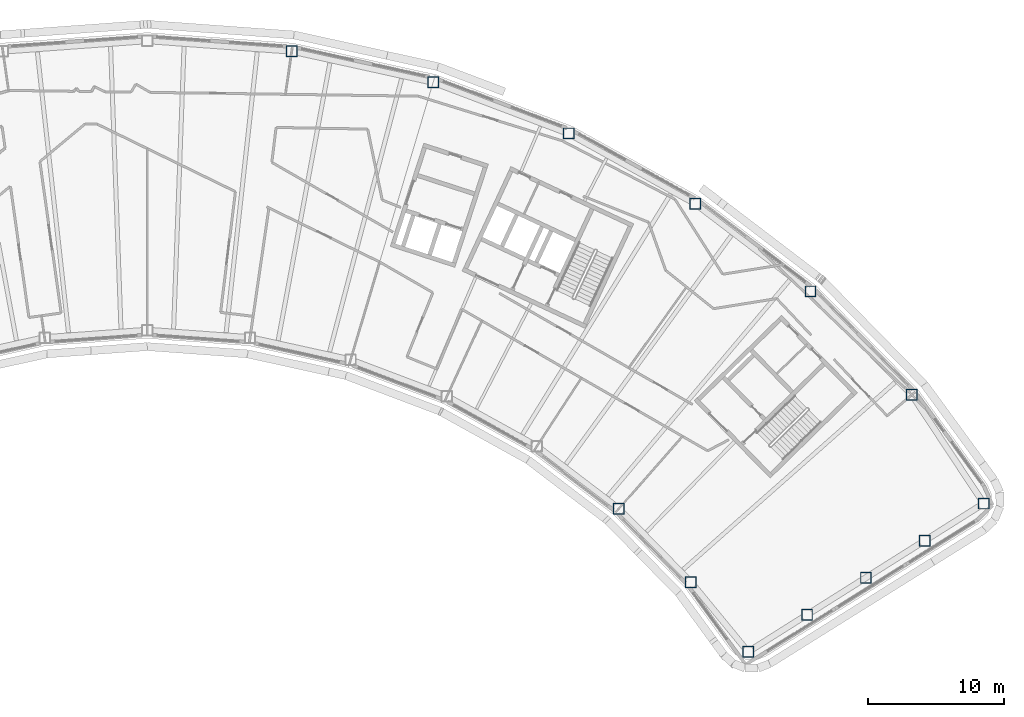
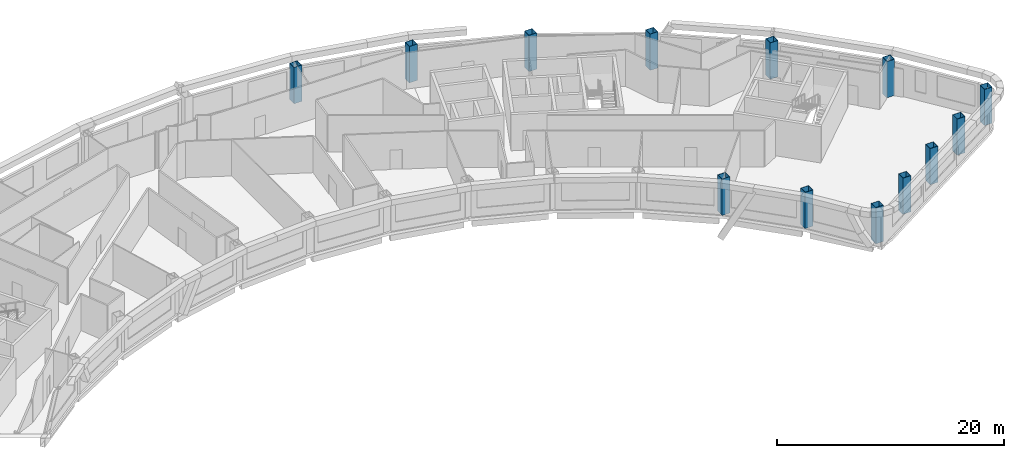
# One storey, part 2 of 14: 13 columns.
"""IFC4 building model written with IfcOpenShell, lengths in metres."""

import ifcopenshell
import ifcopenshell.guid

model = None  # the IFC model being written
_history = None  # IfcOwnerHistory: only IFC2X3 demands one
_inside = {}  # id of a spatial element -> (the spatial element, [elements in it])
_under = {}  # id of a project, library or spatial element -> (it, [spatial elements below it])
_declared = {}  # id of a project -> (the project, [libraries it declares])
_typed = {}  # id of a type object -> (the type object, [elements of that type])
_made_of = {}  # id of a material, layer set ... -> (it, [elements and type objects made of it])


def new_model(schema):
    """Start an empty IFC model of exactly this schema.

    Asked for "IFC4X3", IfcOpenShell would pick the latest addendum, in which some entities
    have other attributes; the version numbers below select the first issue.
    IFC2X3 requires an IfcOwnerHistory on every rooted entity: one is made here for all.
    """
    global model, _history
    if schema == "IFC4X3":
        model = ifcopenshell.file(schema_version=(4, 3, 0, 0))
    else:
        model = ifcopenshell.file(schema=schema)
    _inside.clear()
    _under.clear()
    _declared.clear()
    _typed.clear()
    _made_of.clear()
    _history = None
    if model.schema == "IFC2X3":
        org = make("IfcOrganization", Name="unknown")
        user = make(
            "IfcPersonAndOrganization",
            ThePerson=make("IfcPerson", FamilyName="unknown"),
            TheOrganization=org,
        )
        app = make(
            "IfcApplication",
            ApplicationDeveloper=org,
            Version="unknown",
            ApplicationFullName="unknown",
            ApplicationIdentifier="unknown",
        )
        _history = make(
            "IfcOwnerHistory",
            OwningUser=user,
            OwningApplication=app,
            ChangeAction="ADDED",
            CreationDate=0,
        )
    return model


def make(cls, **values):
    """One entity of the class cls with the attributes given. An attribute that is None is left unset."""
    return model.create_entity(
        cls, **{name: value for name, value in values.items() if value is not None}
    )


def rooted(cls, **values):
    """An entity with a GlobalId (a new one), such as an element, a storey or a relation."""
    return make(cls, GlobalId=ifcopenshell.guid.new(), OwnerHistory=_history, **values)


def si_unit(unit_type, name, prefix=None):
    """IfcSIUnit, for example si_unit("LENGTHUNIT", "METRE", prefix="MILLI")."""
    return make("IfcSIUnit", UnitType=unit_type, Prefix=prefix, Name=name)


def assignment(units):
    """IfcUnitAssignment: the units of a project."""
    return None if units is None else make("IfcUnitAssignment", Units=units)


def point(xyz):
    """IfcCartesianPoint."""
    return None if xyz is None else make("IfcCartesianPoint", Coordinates=xyz)


def direction(xyz):
    """IfcDirection."""
    return None if xyz is None else make("IfcDirection", DirectionRatios=xyz)


def frame(location, z_axis=None, x_axis=None):
    """IfcAxis2Placement3D, a coordinate frame: its origin and axes. An axis left out is left unset."""
    return make(
        "IfcAxis2Placement3D",
        Location=point(location),
        Axis=direction(z_axis),
        RefDirection=direction(x_axis),
    )


def frame_2d(location, x_axis=None):
    """IfcAxis2Placement2D, a coordinate frame in the plane: its origin and x axis."""
    return make(
        "IfcAxis2Placement2D", Location=point(location), RefDirection=direction(x_axis)
    )


def origin():
    """The frame at (0, 0, 0) with its axes left unset."""
    return frame((0.0, 0.0, 0.0))


def origin_2d():
    """The frame at (0, 0) in the plane with its x axis left unset."""
    return frame_2d((0.0, 0.0))


def place(relative_to, where):
    """IfcLocalPlacement: puts the frame where relative to a parent placement (None: the world)."""
    return make(
        "IfcLocalPlacement", PlacementRelTo=relative_to, RelativePlacement=where
    )


def context(
    kind, dimensions, precision=None, world=None, true_north=None, identifier=None
):
    """IfcGeometricRepresentationContext, for example the 3D "Model" context."""
    return make(
        "IfcGeometricRepresentationContext",
        ContextIdentifier=identifier,
        ContextType=kind,
        CoordinateSpaceDimension=dimensions,
        Precision=precision,
        WorldCoordinateSystem=world,
        TrueNorth=true_north,
    )


def subcontext(parent, identifier, kind, view, scale=None):
    """IfcGeometricRepresentationSubContext, for example "Body" below "Model"."""
    return make(
        "IfcGeometricRepresentationSubContext",
        ContextIdentifier=identifier,
        ContextType=kind,
        ParentContext=parent,
        TargetScale=scale,
        TargetView=view,
    )


def project(units=None, contexts=None):
    """IfcProject with its units and contexts."""
    return rooted(
        "IfcProject",
        Name="project",
        RepresentationContexts=contexts,
        UnitsInContext=assignment(units),
    )


def spatial(cls, under=None, at=None, **own):
    """A site, building, storey or space (cls), placed at a placement, below another one or the project."""
    s = rooted(cls, ObjectPlacement=at, **own)
    if under is not None:
        _under.setdefault(under.id(), (under, []))[1].append(s)
    return s


def profile(cls, at=None, kind="AREA", **sizes):
    """A parametric profile (cls). Its sizes go by their IFC names, for example OverallWidth=200.0."""
    return make(cls, ProfileType=kind, Position=at, **sizes)


def hollow_rectangle(**sizes):
    """IfcRectangleHollowProfileDef."""
    return profile("IfcRectangleHollowProfileDef", **sizes)


def extrude(swept, where, along, depth):
    """IfcExtrudedAreaSolid: the profile swept, set in the frame where, extruded along a direction by depth."""
    return make(
        "IfcExtrudedAreaSolid",
        SweptArea=swept,
        Position=where,
        ExtrudedDirection=direction(along),
        Depth=depth,
    )


def shape(context_of_items, identifier, shape_type, items):
    """IfcShapeRepresentation: the items that make up one representation, for example the "Body"."""
    return make(
        "IfcShapeRepresentation",
        ContextOfItems=context_of_items,
        RepresentationIdentifier=identifier,
        RepresentationType=shape_type,
        Items=items,
    )


def material(Name=None, Category=None):
    """IfcMaterial."""
    return make("IfcMaterial", Name=Name, Category=Category)


def material_profile(
    of_material, cross_section, Name=None, Category=None, Priority=None
):
    """IfcMaterialProfile: a cross section and its material."""
    return make(
        "IfcMaterialProfile",
        Name=Name,
        Material=of_material,
        Profile=cross_section,
        Priority=Priority,
        Category=Category,
    )


def profile_set(profiles, Name=None, composite=None):
    """IfcMaterialProfileSet."""
    return make(
        "IfcMaterialProfileSet",
        Name=Name,
        MaterialProfiles=profiles,
        CompositeProfile=composite,
    )


def made_of(thing, what):
    """Note that an element or type object is made of a material, layer set ...; save() writes the relation."""
    if what is not None:
        _made_of.setdefault(what.id(), (what, []))[1].append(thing)
    return thing


def type_object(cls, material=None, **own):
    """A type object (cls), such as IfcWallType, which elements share."""
    return made_of(rooted(cls, **own), material)


def element(
    cls,
    number,
    at=None,
    inside=None,
    cuts=None,
    type_object=None,
    material=None,
    context=None,
    identifier="Body",
    shape_type=None,
    held_by="IfcProductDefinitionShape",
    body=None,
    shapes=None,
    **own,
):
    """One element of the class cls, such as IfcWall. Its Tag is "e" and its number.

    at: its placement. inside: the storey or other place that contains it. cuts: it is an
    opening in that element (IfcRelVoidsElement). A single representation is given by context,
    identifier, shape_type and body (its items); several are given by shapes. held_by: the class
    of the entity that holds the representations. save() writes the other relations.
    """
    e = rooted(cls, Tag="e%d" % number, ObjectPlacement=at, **own)
    if body is not None:
        shapes = [shape(context, identifier, shape_type, body)]
    if shapes is not None:
        e.Representation = make(held_by, Representations=shapes)
    if inside is not None:
        _inside.setdefault(inside.id(), (inside, []))[1].append(e)
    if cuts is not None:
        rooted(
            "IfcRelVoidsElement", RelatingBuildingElement=cuts, RelatedOpeningElement=e
        )
    if type_object is not None:
        _typed.setdefault(type_object.id(), (type_object, []))[1].append(e)
    return made_of(e, material)


def aggregate(whole, parts):
    """IfcRelAggregates: a whole, such as a stair, and the parts it consists of."""
    return rooted("IfcRelAggregates", RelatingObject=whole, RelatedObjects=parts)


def save(model, path):
    """Write the relations noted so far, then the file.

    IfcRelAggregates (storeys below a building ...), IfcRelContainedInSpatialStructure (elements
    in a storey), IfcRelDefinesByType, IfcRelAssociatesMaterial and IfcRelDeclares: one each for
    every whole, place, type object, material and project.
    """
    for whole, parts in _under.values():
        aggregate(whole, parts)
    for where, things in _inside.values():
        rooted(
            "IfcRelContainedInSpatialStructure",
            RelatedElements=things,
            RelatingStructure=where,
        )
    for kind, things in _typed.values():
        rooted("IfcRelDefinesByType", RelatedObjects=things, RelatingType=kind)
    for what, things in _made_of.values():
        rooted("IfcRelAssociatesMaterial", RelatedObjects=things, RelatingMaterial=what)
    for by, libraries in _declared.values():
        rooted("IfcRelDeclares", RelatingContext=by, RelatedDefinitions=libraries)
    model.write(path)


model = new_model("IFC4")

# Units and contexts
model_context = context("Model", 3, precision=1e-05, world=origin(), true_north=direction((0.0, 1.0)))
body_context = subcontext(model_context, "Body", "Model", "MODEL_VIEW")
ifc_project = project(units=[si_unit("LENGTHUNIT", "METRE"), si_unit("AREAUNIT", "SQUARE_METRE"), si_unit("VOLUMEUNIT", "CUBIC_METRE"), si_unit("PLANEANGLEUNIT", "RADIAN"), si_unit("MASSUNIT", "GRAM", prefix="KILO")], contexts=[model_context])

# Site, building, storey
site_placement = place(None, origin())
site = spatial("IfcSite", under=ifc_project, at=site_placement, CompositionType="ELEMENT")
building_placement = place(site_placement, origin())
building = spatial("IfcBuilding", under=site, at=building_placement, Name="Tuul Gate Civic Tower", CompositionType="ELEMENT")
storey_placement = place(building_placement, frame((0.0, 0.0, 323.89990234375)))
storey = spatial("IfcBuildingStorey", under=building, at=storey_placement, Name="Level 73", CompositionType="ELEMENT", Elevation=323.89990234375)

# Columns
ifc_material = material(Name="Steel S355", Category="steel")
ifc_material_profile = material_profile(ifc_material, hollow_rectangle(XDim=0.800048828125, YDim=0.800048828125, WallThickness=0.031982421875, at=origin_2d()), Name="BOX800x800x32")
ifc_profile_set = profile_set([ifc_material_profile], Name="Steel S355")
column_type = type_object("IfcColumnType", Name="STR-COLUMN-BOX800x800x32", PredefinedType="COLUMN", material=ifc_profile_set)
for number, where, z_axis, x_axis, name in (
    (1, (63.863037109375, -20.300048828125, 0.0), (0.0, 0.0, 1.0), (1.0, 0.0, 0.0), "Column"),
    (2, (58.56396484375, -12.2880859375, 0.0), (0.0, 0.0, 1.0), (1.0, 0.0, 0.0), "Column"),
    (3, (51.090087890625, -4.6630859375, 0.0), (0.0, 0.0, 1.0), (1.0, 0.0, 0.0), "Column"),
    (4, (42.593994140625, 1.804931640625, 0.0), (0.0, 0.0, 1.0), (1.0, 0.0, 0.0), "Column"),
    (5, (33.256103515625, 6.98193359375, 0.0), (0.0, 0.0, 1.0), (1.0, 0.0, 0.0), "Column"),
    (6, (23.26904296875, 10.758056640625, 0.0), (0.0, 0.0, 1.0), (1.0, 0.0, 0.0), "Column"),
    (7, (12.841064453125, 13.055908203125, 0.0), (0.0, 0.0, 1.0), (1.0, 0.0, 0.0), "Column"),
    (8, (36.958984375, -20.675048828125, 0.0), (0.0, 0.0, 1.0), (1.0, 0.0, 0.0), "Column"),
    (9, (42.27294921875, -26.096923828125, 0.0), (0.0, 0.0, 1.0), (1.0, 0.0, 0.0), "Column"),
    (10, (46.492919921875, -31.239013671875, 0.0), (0.0, 0.0, 1.0), (1.0, 0.0, 0.0), "Column"),
    (11, (50.8349609375, -28.50390625, 0.0), (0.0, 0.0, 1.0), (1.0, 0.0, 0.0), "Column"),
    (12, (55.177978515625, -25.77001953125, 0.0), (0.0, 0.0, 1.0), (1.0, 0.0, 0.0), "Column"),
    (13, (59.52001953125, -23.034912109375, 0.0), (0.0, 0.0, 1.0), (1.0, 0.0, 0.0), "Column"),
):
    element("IfcColumn", number, at=place(storey_placement, frame(where, z_axis=z_axis, x_axis=x_axis)), inside=storey, type_object=column_type, Name=name, PredefinedType="COLUMN", context=body_context, shape_type="SweptSolid", body=[
        extrude(hollow_rectangle(XDim=0.800048828125, YDim=0.800048828125, WallThickness=0.031982421875, at=origin_2d()), origin(), (0.0, 0.0, 1.0), 3.900146484375),
    ])

save(model, "model.ifc")
